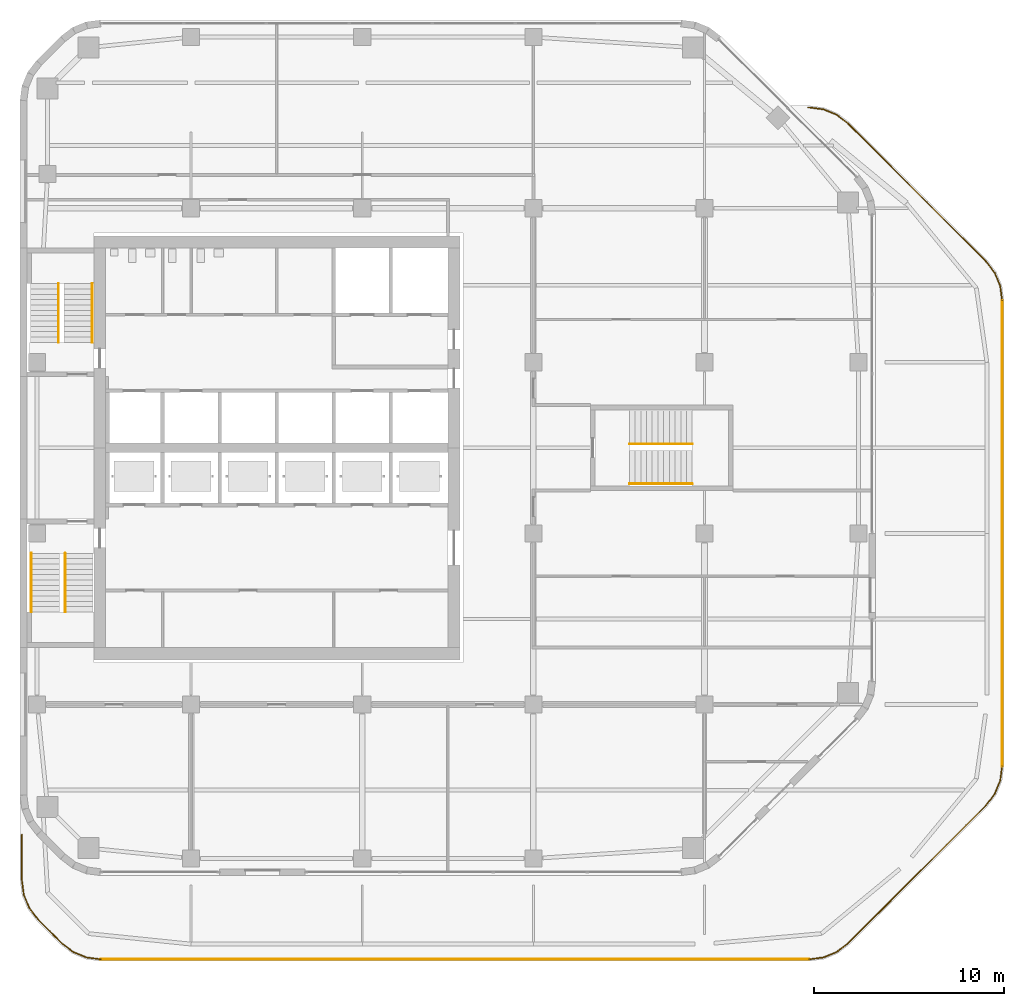
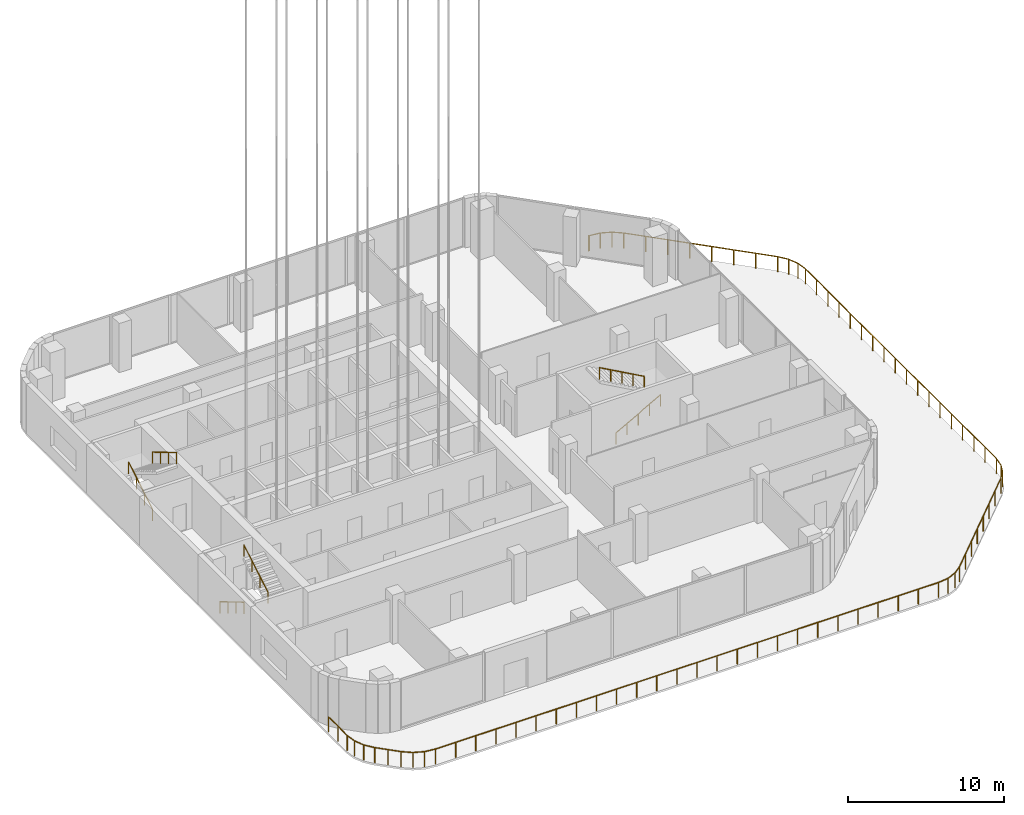
# One storey, part 27 of 29: 11 railings, 3 elements without a shape of their own.
"""IFC4 building model written with IfcOpenShell, lengths in metres."""

from ifc_helpers import new_model, si_unit, direction, frame, origin, origin_2d, place, context, subcontext, project, spatial, circle, extrude, material, type_object, element, aggregate, save


model = new_model("IFC4")

# Units and contexts
model_context = context("Model", 3, precision=1e-05, world=origin(), true_north=direction((0.0, 1.0)))
body_context = subcontext(model_context, "Body", "Model", "MODEL_VIEW")
ifc_project = project(units=[si_unit("LENGTHUNIT", "METRE"), si_unit("AREAUNIT", "SQUARE_METRE"), si_unit("VOLUMEUNIT", "CUBIC_METRE"), si_unit("PLANEANGLEUNIT", "RADIAN"), si_unit("MASSUNIT", "GRAM", prefix="KILO")], contexts=[model_context])

# Site, building, storey
site_placement = place(None, origin())
site = spatial("IfcSite", under=ifc_project, at=site_placement, CompositionType="ELEMENT")
building_placement = place(site_placement, origin())
building = spatial("IfcBuilding", under=site, at=building_placement, Name="Cinnabar Reach Civic Tower", CompositionType="ELEMENT")
storey_placement = place(building_placement, frame((0.0, 0.0, 149.0)))
storey = spatial("IfcBuildingStorey", under=building, at=storey_placement, Name="L35", CompositionType="ELEMENT", Elevation=149.0)

# Railings
ifc_material_1 = material(Name="Stainless steel", Category="steel")
railing_type_1 = type_object("IfcRailingType", Name="Facade terrace guard 1200", PredefinedType="GUARDRAIL", material=ifc_material_1)
railing_1_placement = place(storey_placement, frame((41.4485, 49.4, 0.0)))
element("IfcRailing", 1, at=railing_1_placement, inside=storey, type_object=railing_type_1, Name="Terrace guard", PredefinedType="GUARDRAIL", context=body_context, shape_type="SweptSolid", body=[
    extrude(circle(Radius=0.024, at=origin_2d()), frame((0.0, 0.0, 1.176), z_axis=(1.0, 0.0, 0.0), x_axis=(0.0, 1.0, 0.0)), (0.0, 0.0, 1.0), 0.0523),
    extrude(circle(Radius=0.024, at=origin_2d()), frame((0.0523, 0.0, 1.176), z_axis=(0.991452957962, -0.130464677782, 0.0), x_axis=(0.130464677782, 0.991452957962, 0.0)), (0.0, 0.0, 1.0), 0.7634),
    extrude(circle(Radius=0.024, at=origin_2d()), frame((0.8092, -0.0996, 1.176), z_axis=(0.923841279444, -0.382775770387, 0.0), x_axis=(0.382775770387, 0.923841279444, 0.0)), (0.0, 0.0, 1.0), 0.7568),
    extrude(circle(Radius=0.024, at=origin_2d()), frame((1.5084, -0.3893, 1.176), z_axis=(0.793397594576, -0.608703751361, 0.0), x_axis=(0.608703751361, 0.793397594576, 0.0)), (0.0, 0.0, 1.0), 0.7634),
    extrude(circle(Radius=0.024, at=origin_2d()), frame((2.1141, -0.854, 1.176), z_axis=(0.707106781187, -0.707106781187, 0.0), x_axis=(0.707106781187, 0.707106781187, 0.0)), (0.0, 0.0, 1.0), 10.2296),
    extrude(circle(Radius=0.024, at=origin_2d()), frame((9.3475, -8.0874, 1.176), z_axis=(0.608703751361, -0.793397594576, 0.0), x_axis=(0.793397594576, 0.608703751361, 0.0)), (0.0, 0.0, 1.0), 0.7634),
    extrude(circle(Radius=0.024, at=origin_2d()), frame((9.8122, -8.6931, 1.176), z_axis=(0.382775770387, -0.923841279444, 0.0), x_axis=(0.923841279444, 0.382775770387, 0.0)), (0.0, 0.0, 1.0), 0.7568),
    extrude(circle(Radius=0.024, at=origin_2d()), frame((10.1019, -9.3923, 1.176), z_axis=(0.130464677782, -0.991452957962, 0.0), x_axis=(0.991452957962, 0.130464677782, 0.0)), (0.0, 0.0, 1.0), 0.7634),
    extrude(circle(Radius=0.021, at=origin_2d()), origin(), (0.0, 0.0, 1.0), 1.152),
    extrude(circle(Radius=0.021, at=origin_2d()), frame((0.0523, 0.0, 0.0)), (0.0, 0.0, 1.0), 1.152),
    extrude(circle(Radius=0.021, at=origin_2d()), frame((0.8092, -0.0996, 0.0)), (0.0, 0.0, 1.0), 1.152),
    extrude(circle(Radius=0.021, at=origin_2d()), frame((1.5084, -0.3893, 0.0)), (0.0, 0.0, 1.0), 1.152),
    extrude(circle(Radius=0.021, at=origin_2d()), frame((2.1141, -0.854, 0.0)), (0.0, 0.0, 1.0), 1.152),
    extrude(circle(Radius=0.021, at=origin_2d()), frame((3.1474, -1.8873, 0.0)), (0.0, 0.0, 1.0), 1.152),
    extrude(circle(Radius=0.021, at=origin_2d()), frame((4.1808, -2.9207, 0.0)), (0.0, 0.0, 1.0), 1.152),
    extrude(circle(Radius=0.021, at=origin_2d()), frame((5.2141, -3.954, 0.0)), (0.0, 0.0, 1.0), 1.152),
    extrude(circle(Radius=0.021, at=origin_2d()), frame((6.2475, -4.9874, 0.0)), (0.0, 0.0, 1.0), 1.152),
    extrude(circle(Radius=0.021, at=origin_2d()), frame((7.2808, -6.0207, 0.0)), (0.0, 0.0, 1.0), 1.152),
    extrude(circle(Radius=0.021, at=origin_2d()), frame((8.3142, -7.0541, 0.0)), (0.0, 0.0, 1.0), 1.152),
    extrude(circle(Radius=0.021, at=origin_2d()), frame((9.3475, -8.0874, 0.0)), (0.0, 0.0, 1.0), 1.152),
    extrude(circle(Radius=0.021, at=origin_2d()), frame((9.8122, -8.6931, 0.0)), (0.0, 0.0, 1.0), 1.152),
    extrude(circle(Radius=0.021, at=origin_2d()), frame((10.1019, -9.3923, 0.0)), (0.0, 0.0, 1.0), 1.152),
    extrude(circle(Radius=0.021, at=origin_2d()), frame((10.2015, -10.1492, 0.0)), (0.0, 0.0, 1.0), 1.152),
])
railing_2_placement = place(storey_placement, frame((51.65, 39.2508, 0.0)))
element("IfcRailing", 2, at=railing_2_placement, inside=storey, type_object=railing_type_1, Name="Terrace guard", PredefinedType="GUARDRAIL", context=body_context, shape_type="SweptSolid", body=[
    extrude(circle(Radius=0.024, at=origin_2d()), frame((0.0, 0.0, 1.176), z_axis=(0.0, -1.0, 0.0), x_axis=(1.0, 0.0, 0.0)), (0.0, 0.0, 1.0), 24.5016),
    extrude(circle(Radius=0.021, at=origin_2d()), origin(), (0.0, 0.0, 1.0), 1.152),
    extrude(circle(Radius=0.021, at=origin_2d()), frame((0.0, -1.4413, 0.0)), (0.0, 0.0, 1.0), 1.152),
    extrude(circle(Radius=0.021, at=origin_2d()), frame((0.0, -2.8825, 0.0)), (0.0, 0.0, 1.0), 1.152),
    extrude(circle(Radius=0.021, at=origin_2d()), frame((0.0, -4.3238, 0.0)), (0.0, 0.0, 1.0), 1.152),
    extrude(circle(Radius=0.021, at=origin_2d()), frame((0.0, -5.7651, 0.0)), (0.0, 0.0, 1.0), 1.152),
    extrude(circle(Radius=0.021, at=origin_2d()), frame((0.0, -7.2064, 0.0)), (0.0, 0.0, 1.0), 1.152),
    extrude(circle(Radius=0.021, at=origin_2d()), frame((0.0, -8.6476, 0.0)), (0.0, 0.0, 1.0), 1.152),
    extrude(circle(Radius=0.021, at=origin_2d()), frame((0.0, -10.0889, 0.0)), (0.0, 0.0, 1.0), 1.152),
    extrude(circle(Radius=0.021, at=origin_2d()), frame((0.0, -11.5302, 0.0)), (0.0, 0.0, 1.0), 1.152),
    extrude(circle(Radius=0.021, at=origin_2d()), frame((0.0, -12.9714, 0.0)), (0.0, 0.0, 1.0), 1.152),
    extrude(circle(Radius=0.021, at=origin_2d()), frame((0.0, -14.4127, 0.0)), (0.0, 0.0, 1.0), 1.152),
    extrude(circle(Radius=0.021, at=origin_2d()), frame((0.0, -15.854, 0.0)), (0.0, 0.0, 1.0), 1.152),
    extrude(circle(Radius=0.021, at=origin_2d()), frame((0.0, -17.2952, 0.0)), (0.0, 0.0, 1.0), 1.152),
    extrude(circle(Radius=0.021, at=origin_2d()), frame((0.0, -18.7365, 0.0)), (0.0, 0.0, 1.0), 1.152),
    extrude(circle(Radius=0.021, at=origin_2d()), frame((0.0, -20.1778, 0.0)), (0.0, 0.0, 1.0), 1.152),
    extrude(circle(Radius=0.021, at=origin_2d()), frame((0.0, -21.6191, 0.0)), (0.0, 0.0, 1.0), 1.152),
    extrude(circle(Radius=0.021, at=origin_2d()), frame((0.0, -23.0603, 0.0)), (0.0, 0.0, 1.0), 1.152),
    extrude(circle(Radius=0.021, at=origin_2d()), frame((0.0, -24.5016, 0.0)), (0.0, 0.0, 1.0), 1.152),
])
railing_3_placement = place(storey_placement, frame((51.65, 14.7492, 0.0)))
element("IfcRailing", 3, at=railing_3_placement, inside=storey, type_object=railing_type_1, Name="Terrace guard", PredefinedType="GUARDRAIL", context=body_context, shape_type="SweptSolid", body=[
    extrude(circle(Radius=0.024, at=origin_2d()), frame((0.0, 0.0, 1.176), z_axis=(-0.130464677782, -0.991452957962, 0.0), x_axis=(0.991452957962, -0.130464677782, 0.0)), (0.0, 0.0, 1.0), 0.7634),
    extrude(circle(Radius=0.024, at=origin_2d()), frame((-0.0996, -0.7569, 1.176), z_axis=(-0.382775770387, -0.923841279444, 0.0), x_axis=(0.923841279444, -0.382775770387, 0.0)), (0.0, 0.0, 1.0), 0.7568),
    extrude(circle(Radius=0.024, at=origin_2d()), frame((-0.3893, -1.4561, 1.176), z_axis=(-0.608703751361, -0.793397594576, 0.0), x_axis=(0.793397594576, -0.608703751361, 0.0)), (0.0, 0.0, 1.0), 0.7634),
    extrude(circle(Radius=0.024, at=origin_2d()), frame((-0.854, -2.0618, 1.176), z_axis=(-0.707106781187, -0.707106781187, 0.0), x_axis=(0.707106781187, -0.707106781187, 0.0)), (0.0, 0.0, 1.0), 10.2296),
    extrude(circle(Radius=0.024, at=origin_2d()), frame((-8.0874, -9.2952, 1.176), z_axis=(-0.793397594576, -0.608703751361, 0.0), x_axis=(0.608703751361, -0.793397594576, 0.0)), (0.0, 0.0, 1.0), 0.7634),
    extrude(circle(Radius=0.024, at=origin_2d()), frame((-8.6931, -9.7599, 1.176), z_axis=(-0.923841279444, -0.382775770387, 0.0), x_axis=(0.382775770387, -0.923841279444, 0.0)), (0.0, 0.0, 1.0), 0.7568),
    extrude(circle(Radius=0.024, at=origin_2d()), frame((-9.3923, -10.0496, 1.176), z_axis=(-0.991452957962, -0.130464677782, 0.0), x_axis=(0.130464677782, -0.991452957962, 0.0)), (0.0, 0.0, 1.0), 0.7634),
    extrude(circle(Radius=0.021, at=origin_2d()), origin(), (0.0, 0.0, 1.0), 1.152),
    extrude(circle(Radius=0.021, at=origin_2d()), frame((-0.0996, -0.7569, 0.0)), (0.0, 0.0, 1.0), 1.152),
    extrude(circle(Radius=0.021, at=origin_2d()), frame((-0.3893, -1.4561, 0.0)), (0.0, 0.0, 1.0), 1.152),
    extrude(circle(Radius=0.021, at=origin_2d()), frame((-0.854, -2.0618, 0.0)), (0.0, 0.0, 1.0), 1.152),
    extrude(circle(Radius=0.021, at=origin_2d()), frame((-1.8873, -3.0951, 0.0)), (0.0, 0.0, 1.0), 1.152),
    extrude(circle(Radius=0.021, at=origin_2d()), frame((-2.9207, -4.1285, 0.0)), (0.0, 0.0, 1.0), 1.152),
    extrude(circle(Radius=0.021, at=origin_2d()), frame((-3.954, -5.1618, 0.0)), (0.0, 0.0, 1.0), 1.152),
    extrude(circle(Radius=0.021, at=origin_2d()), frame((-4.9874, -6.1952, 0.0)), (0.0, 0.0, 1.0), 1.152),
    extrude(circle(Radius=0.021, at=origin_2d()), frame((-6.0207, -7.2285, 0.0)), (0.0, 0.0, 1.0), 1.152),
    extrude(circle(Radius=0.021, at=origin_2d()), frame((-7.0541, -8.2619, 0.0)), (0.0, 0.0, 1.0), 1.152),
    extrude(circle(Radius=0.021, at=origin_2d()), frame((-8.0874, -9.2952, 0.0)), (0.0, 0.0, 1.0), 1.152),
    extrude(circle(Radius=0.021, at=origin_2d()), frame((-8.6931, -9.7599, 0.0)), (0.0, 0.0, 1.0), 1.152),
    extrude(circle(Radius=0.021, at=origin_2d()), frame((-9.3923, -10.0496, 0.0)), (0.0, 0.0, 1.0), 1.152),
    extrude(circle(Radius=0.021, at=origin_2d()), frame((-10.1492, -10.1492, 0.0)), (0.0, 0.0, 1.0), 1.152),
])
railing_4_placement = place(storey_placement, frame((41.5008, 4.6, 0.0)))
element("IfcRailing", 4, at=railing_4_placement, inside=storey, type_object=railing_type_1, Name="Terrace guard", PredefinedType="GUARDRAIL", context=body_context, shape_type="SweptSolid", body=[
    extrude(circle(Radius=0.024, at=origin_2d()), frame((0.0, 0.0, 1.176), z_axis=(-1.0, 0.0, 0.0), x_axis=(0.0, -1.0, 0.0)), (0.0, 0.0, 1.0), 37.2516),
    extrude(circle(Radius=0.021, at=origin_2d()), origin(), (0.0, 0.0, 1.0), 1.152),
    extrude(circle(Radius=0.021, at=origin_2d()), frame((-1.4901, 0.0, 0.0)), (0.0, 0.0, 1.0), 1.152),
    extrude(circle(Radius=0.021, at=origin_2d()), frame((-2.9801, 0.0, 0.0)), (0.0, 0.0, 1.0), 1.152),
    extrude(circle(Radius=0.021, at=origin_2d()), frame((-4.4702, 0.0, 0.0)), (0.0, 0.0, 1.0), 1.152),
    extrude(circle(Radius=0.021, at=origin_2d()), frame((-5.9603, 0.0, 0.0)), (0.0, 0.0, 1.0), 1.152),
    extrude(circle(Radius=0.021, at=origin_2d()), frame((-7.4503, 0.0, 0.0)), (0.0, 0.0, 1.0), 1.152),
    extrude(circle(Radius=0.021, at=origin_2d()), frame((-8.9404, 0.0, 0.0)), (0.0, 0.0, 1.0), 1.152),
    extrude(circle(Radius=0.021, at=origin_2d()), frame((-10.4304, 0.0, 0.0)), (0.0, 0.0, 1.0), 1.152),
    extrude(circle(Radius=0.021, at=origin_2d()), frame((-11.9205, 0.0, 0.0)), (0.0, 0.0, 1.0), 1.152),
    extrude(circle(Radius=0.021, at=origin_2d()), frame((-13.4106, 0.0, 0.0)), (0.0, 0.0, 1.0), 1.152),
    extrude(circle(Radius=0.021, at=origin_2d()), frame((-14.9006, 0.0, 0.0)), (0.0, 0.0, 1.0), 1.152),
    extrude(circle(Radius=0.021, at=origin_2d()), frame((-16.3907, 0.0, 0.0)), (0.0, 0.0, 1.0), 1.152),
    extrude(circle(Radius=0.021, at=origin_2d()), frame((-17.8808, 0.0, 0.0)), (0.0, 0.0, 1.0), 1.152),
    extrude(circle(Radius=0.021, at=origin_2d()), frame((-19.3708, 0.0, 0.0)), (0.0, 0.0, 1.0), 1.152),
    extrude(circle(Radius=0.021, at=origin_2d()), frame((-20.8609, 0.0, 0.0)), (0.0, 0.0, 1.0), 1.152),
    extrude(circle(Radius=0.021, at=origin_2d()), frame((-22.351, 0.0, 0.0)), (0.0, 0.0, 1.0), 1.152),
    extrude(circle(Radius=0.021, at=origin_2d()), frame((-23.841, 0.0, 0.0)), (0.0, 0.0, 1.0), 1.152),
    extrude(circle(Radius=0.021, at=origin_2d()), frame((-25.3311, 0.0, 0.0)), (0.0, 0.0, 1.0), 1.152),
    extrude(circle(Radius=0.021, at=origin_2d()), frame((-26.8212, 0.0, 0.0)), (0.0, 0.0, 1.0), 1.152),
    extrude(circle(Radius=0.021, at=origin_2d()), frame((-28.3112, 0.0, 0.0)), (0.0, 0.0, 1.0), 1.152),
    extrude(circle(Radius=0.021, at=origin_2d()), frame((-29.8013, 0.0, 0.0)), (0.0, 0.0, 1.0), 1.152),
    extrude(circle(Radius=0.021, at=origin_2d()), frame((-31.2913, 0.0, 0.0)), (0.0, 0.0, 1.0), 1.152),
    extrude(circle(Radius=0.021, at=origin_2d()), frame((-32.7814, 0.0, 0.0)), (0.0, 0.0, 1.0), 1.152),
    extrude(circle(Radius=0.021, at=origin_2d()), frame((-34.2715, 0.0, 0.0)), (0.0, 0.0, 1.0), 1.152),
    extrude(circle(Radius=0.021, at=origin_2d()), frame((-35.7615, 0.0, 0.0)), (0.0, 0.0, 1.0), 1.152),
    extrude(circle(Radius=0.021, at=origin_2d()), frame((-37.2516, 0.0, 0.0)), (0.0, 0.0, 1.0), 1.152),
])
railing_5_placement = place(storey_placement, frame((4.2492, 4.6, 0.0)))
element("IfcRailing", 5, at=railing_5_placement, inside=storey, type_object=railing_type_1, Name="Terrace guard", PredefinedType="GUARDRAIL", context=body_context, shape_type="SweptSolid", body=[
    extrude(circle(Radius=0.024, at=origin_2d()), frame((0.0, 0.0, 1.176), z_axis=(-0.991452957962, 0.130464677782, 0.0), x_axis=(-0.130464677782, -0.991452957962, 0.0)), (0.0, 0.0, 1.0), 0.7634),
    extrude(circle(Radius=0.024, at=origin_2d()), frame((-0.7569, 0.0996, 1.176), z_axis=(-0.923841279444, 0.382775770387, 0.0), x_axis=(-0.382775770387, -0.923841279444, 0.0)), (0.0, 0.0, 1.0), 0.7568),
    extrude(circle(Radius=0.024, at=origin_2d()), frame((-1.4561, 0.3893, 1.176), z_axis=(-0.793397594576, 0.608703751361, 0.0), x_axis=(-0.608703751361, -0.793397594576, 0.0)), (0.0, 0.0, 1.0), 0.7634),
    extrude(circle(Radius=0.024, at=origin_2d()), frame((-2.0618, 0.854, 1.176), z_axis=(-0.707106781187, 0.707106781187, 0.0), x_axis=(-0.707106781187, -0.707106781187, 0.0)), (0.0, 0.0, 1.0), 1.7443),
    extrude(circle(Radius=0.024, at=origin_2d()), frame((-3.2952, 2.0874, 1.176), z_axis=(-0.608703751361, 0.793397594576, 0.0), x_axis=(-0.793397594576, -0.608703751361, 0.0)), (0.0, 0.0, 1.0), 0.7634),
    extrude(circle(Radius=0.024, at=origin_2d()), frame((-3.7599, 2.6931, 1.176), z_axis=(-0.382775770387, 0.923841279444, 0.0), x_axis=(-0.923841279444, -0.382775770387, 0.0)), (0.0, 0.0, 1.0), 0.7568),
    extrude(circle(Radius=0.024, at=origin_2d()), frame((-4.0496, 3.3923, 1.176), z_axis=(-0.130464677782, 0.991452957962, 0.0), x_axis=(-0.991452957962, -0.130464677782, 0.0)), (0.0, 0.0, 1.0), 0.7634),
    extrude(circle(Radius=0.024, at=origin_2d()), frame((-4.1492, 4.1492, 1.176), z_axis=(0.0, 1.0, 0.0), x_axis=(-1.0, 0.0, 0.0)), (0.0, 0.0, 1.0), 2.4013),
    extrude(circle(Radius=0.021, at=origin_2d()), origin(), (0.0, 0.0, 1.0), 1.152),
    extrude(circle(Radius=0.021, at=origin_2d()), frame((-0.7569, 0.0996, 0.0)), (0.0, 0.0, 1.0), 1.152),
    extrude(circle(Radius=0.021, at=origin_2d()), frame((-1.4561, 0.3893, 0.0)), (0.0, 0.0, 1.0), 1.152),
    extrude(circle(Radius=0.021, at=origin_2d()), frame((-2.0618, 0.854, 0.0)), (0.0, 0.0, 1.0), 1.152),
    extrude(circle(Radius=0.021, at=origin_2d()), frame((-2.6785, 1.4707, 0.0)), (0.0, 0.0, 1.0), 1.152),
    extrude(circle(Radius=0.021, at=origin_2d()), frame((-3.2952, 2.0874, 0.0)), (0.0, 0.0, 1.0), 1.152),
    extrude(circle(Radius=0.021, at=origin_2d()), frame((-3.7599, 2.6931, 0.0)), (0.0, 0.0, 1.0), 1.152),
    extrude(circle(Radius=0.021, at=origin_2d()), frame((-4.0496, 3.3923, 0.0)), (0.0, 0.0, 1.0), 1.152),
    extrude(circle(Radius=0.021, at=origin_2d()), frame((-4.1492, 4.1492, 0.0)), (0.0, 0.0, 1.0), 1.152),
    extrude(circle(Radius=0.021, at=origin_2d()), frame((-4.1492, 5.3498, 0.0)), (0.0, 0.0, 1.0), 1.152),
    extrude(circle(Radius=0.021, at=origin_2d()), frame((-4.1492, 6.5505, 0.0)), (0.0, 0.0, 1.0), 1.152),
])

# Stair, railings
ifc_material_2 = material(Name="Concrete C40/50", Category="concrete")
stair_type = type_object("IfcStairType", Name="T1 Exit stair, half-turn", PredefinedType="HALF_TURN_STAIR", material=ifc_material_2)
stair_1_placement = place(storey_placement, origin())
stair_1 = element("IfcStair", 6, at=stair_1_placement, inside=storey, type_object=stair_type, Name="Stair T1-S1", PredefinedType="HALF_TURN_STAIR")
ifc_material_3 = material(Name="Stainless steel tube", Category="steel")
railing_type_2 = type_object("IfcRailingType", Name="T1 Stair handrail, stainless tube 48", PredefinedType="HANDRAIL", material=ifc_material_3)
railing_6_placement = place(storey_placement, frame((0.6, 25.95, 0.1667)))
railing_6 = element("IfcRailing", 7, at=railing_6_placement, type_object=railing_type_2, Name="T1-S1 handrail 1", PredefinedType="HANDRAIL", context=body_context, shape_type="SweptSolid", body=[
    extrude(circle(Radius=0.024, at=origin_2d()), frame((0.0, 0.0, 0.876), z_axis=(0.0, -0.859296971757, 0.511476992962), x_axis=(1.0, 0.0, 0.0)), (0.0, 0.0, 1.0), 3.5843),
    extrude(circle(Radius=0.021, at=origin_2d()), origin(), (0.0, 0.0, 1.0), 0.852),
    extrude(circle(Radius=0.021, at=origin_2d()), frame((0.0, -1.0267, 0.6111)), (0.0, 0.0, 1.0), 0.852),
    extrude(circle(Radius=0.021, at=origin_2d()), frame((0.0, -2.0533, 1.2222)), (0.0, 0.0, 1.0), 0.852),
    extrude(circle(Radius=0.021, at=origin_2d()), frame((0.0, -3.08, 1.8333)), (0.0, 0.0, 1.0), 0.852),
])
railing_7_placement = place(storey_placement, frame((2.375, 22.87, 2.1667)))
railing_7 = element("IfcRailing", 8, at=railing_7_placement, type_object=railing_type_2, Name="T1-S1 handrail 2", PredefinedType="HANDRAIL", context=body_context, shape_type="SweptSolid", body=[
    extrude(circle(Radius=0.024, at=origin_2d()), frame((0.0, 0.0, 0.876), z_axis=(0.0, 0.859296971757, 0.511476992962), x_axis=(-1.0, 0.0, 0.0)), (0.0, 0.0, 1.0), 3.5843),
    extrude(circle(Radius=0.021, at=origin_2d()), origin(), (0.0, 0.0, 1.0), 0.852),
    extrude(circle(Radius=0.021, at=origin_2d()), frame((0.0, 1.0267, 0.6111)), (0.0, 0.0, 1.0), 0.852),
    extrude(circle(Radius=0.021, at=origin_2d()), frame((0.0, 2.0533, 1.2222)), (0.0, 0.0, 1.0), 0.852),
    extrude(circle(Radius=0.021, at=origin_2d()), frame((0.0, 3.08, 1.8333)), (0.0, 0.0, 1.0), 0.852),
])
aggregate(stair_1, [railing_6, railing_7])

stair_2_placement = place(storey_placement, origin())
stair_2 = element("IfcStair", 9, at=stair_2_placement, inside=storey, type_object=stair_type, Name="Stair T1-S2", PredefinedType="HALF_TURN_STAIR")
railing_8_placement = place(storey_placement, frame((2.025, 37.05, 0.1667)))
railing_8 = element("IfcRailing", 10, at=railing_8_placement, type_object=railing_type_2, Name="T1-S2 handrail 1", PredefinedType="HANDRAIL", context=body_context, shape_type="SweptSolid", body=[
    extrude(circle(Radius=0.024, at=origin_2d()), frame((0.0, 0.0, 0.876), z_axis=(0.0, 0.859296971757, 0.511476992962), x_axis=(-1.0, 0.0, 0.0)), (0.0, 0.0, 1.0), 3.5843),
    extrude(circle(Radius=0.021, at=origin_2d()), origin(), (0.0, 0.0, 1.0), 0.852),
    extrude(circle(Radius=0.021, at=origin_2d()), frame((0.0, 1.0267, 0.6111)), (0.0, 0.0, 1.0), 0.852),
    extrude(circle(Radius=0.021, at=origin_2d()), frame((0.0, 2.0533, 1.2222)), (0.0, 0.0, 1.0), 0.852),
    extrude(circle(Radius=0.021, at=origin_2d()), frame((0.0, 3.08, 1.8333)), (0.0, 0.0, 1.0), 0.852),
])
railing_9_placement = place(storey_placement, frame((3.8, 40.13, 2.1667)))
railing_9 = element("IfcRailing", 11, at=railing_9_placement, type_object=railing_type_2, Name="T1-S2 handrail 2", PredefinedType="HANDRAIL", context=body_context, shape_type="SweptSolid", body=[
    extrude(circle(Radius=0.024, at=origin_2d()), frame((0.0, 0.0, 0.876), z_axis=(0.0, -0.859296971757, 0.511476992962), x_axis=(1.0, 0.0, 0.0)), (0.0, 0.0, 1.0), 3.5843),
    extrude(circle(Radius=0.021, at=origin_2d()), origin(), (0.0, 0.0, 1.0), 0.852),
    extrude(circle(Radius=0.021, at=origin_2d()), frame((0.0, -1.0267, 0.6111)), (0.0, 0.0, 1.0), 0.852),
    extrude(circle(Radius=0.021, at=origin_2d()), frame((0.0, -2.0533, 1.2222)), (0.0, 0.0, 1.0), 0.852),
    extrude(circle(Radius=0.021, at=origin_2d()), frame((0.0, -3.08, 1.8333)), (0.0, 0.0, 1.0), 0.852),
])
aggregate(stair_2, [railing_8, railing_9])

stair_3_placement = place(storey_placement, origin())
stair_3 = element("IfcStair", 12, at=stair_3_placement, inside=storey, type_object=stair_type, Name="Stair T1-S3", PredefinedType="HALF_TURN_STAIR")
railing_10_placement = place(storey_placement, frame((32.05, 29.6, 0.1667)))
railing_10 = element("IfcRailing", 13, at=railing_10_placement, type_object=railing_type_2, Name="T1-S3 handrail 1", PredefinedType="HANDRAIL", context=body_context, shape_type="SweptSolid", body=[
    extrude(circle(Radius=0.024, at=origin_2d()), frame((0.0, 0.0, 0.876), z_axis=(0.874161024642, 0.0, 0.485636183781), x_axis=(0.0, 1.0, 0.0)), (0.0, 0.0, 1.0), 3.775),
    extrude(circle(Radius=0.021, at=origin_2d()), origin(), (0.0, 0.0, 1.0), 0.852),
    extrude(circle(Radius=0.021, at=origin_2d()), frame((0.825, 0.0, 0.4583)), (0.0, 0.0, 1.0), 0.852),
    extrude(circle(Radius=0.021, at=origin_2d()), frame((1.65, 0.0, 0.9167)), (0.0, 0.0, 1.0), 0.852),
    extrude(circle(Radius=0.021, at=origin_2d()), frame((2.475, 0.0, 1.375)), (0.0, 0.0, 1.0), 0.852),
    extrude(circle(Radius=0.021, at=origin_2d()), frame((3.3, 0.0, 1.8333)), (0.0, 0.0, 1.0), 0.852),
])
railing_11_placement = place(storey_placement, frame((35.35, 31.7, 2.1667)))
railing_11 = element("IfcRailing", 14, at=railing_11_placement, type_object=railing_type_2, Name="T1-S3 handrail 2", PredefinedType="HANDRAIL", context=body_context, shape_type="SweptSolid", body=[
    extrude(circle(Radius=0.024, at=origin_2d()), frame((0.0, 0.0, 0.876), z_axis=(-0.874161024642, 0.0, 0.485636183781), x_axis=(0.0, -1.0, 0.0)), (0.0, 0.0, 1.0), 3.775),
    extrude(circle(Radius=0.021, at=origin_2d()), origin(), (0.0, 0.0, 1.0), 0.852),
    extrude(circle(Radius=0.021, at=origin_2d()), frame((-0.825, 0.0, 0.4583)), (0.0, 0.0, 1.0), 0.852),
    extrude(circle(Radius=0.021, at=origin_2d()), frame((-1.65, 0.0, 0.9167)), (0.0, 0.0, 1.0), 0.852),
    extrude(circle(Radius=0.021, at=origin_2d()), frame((-2.475, 0.0, 1.375)), (0.0, 0.0, 1.0), 0.852),
    extrude(circle(Radius=0.021, at=origin_2d()), frame((-3.3, 0.0, 1.8333)), (0.0, 0.0, 1.0), 0.852),
])
aggregate(stair_3, [railing_10, railing_11])

save(model, "model.ifc")
